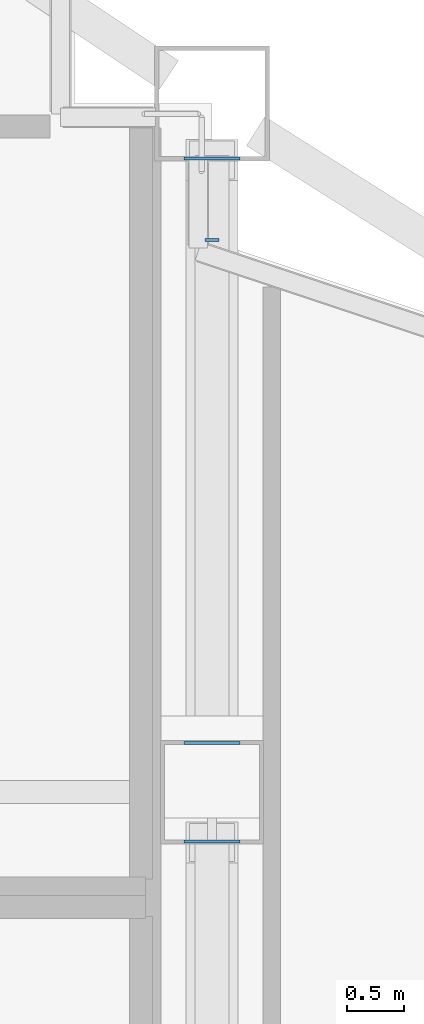
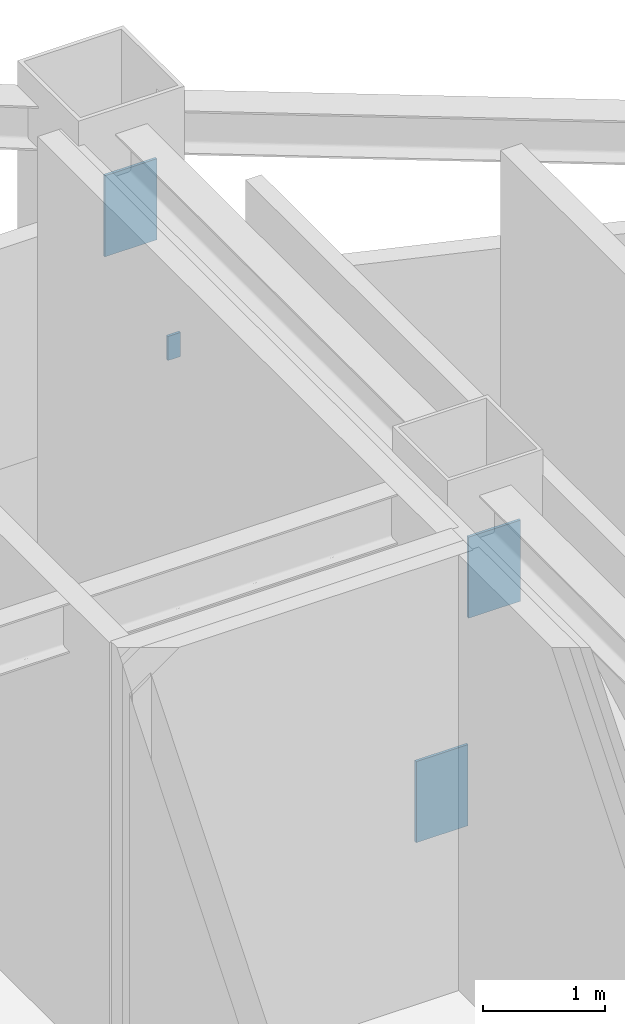
# One storey, part 13 of 24: 4 plates.
"""IFC4 building model written with IfcOpenShell, lengths in metres."""

from ifc_helpers import new_model, si_unit, direction, frame, origin, origin_2d, place, context, subcontext, project, spatial, rectangle, extrude, material, layer, layer_set, type_object, element, save


model = new_model("IFC4")

# Units and contexts
model_context = context("Model", 3, precision=1e-05, world=origin(), true_north=direction((0.0, 1.0)))
body_context = subcontext(model_context, "Body", "Model", "MODEL_VIEW")
ifc_project = project(units=[si_unit("LENGTHUNIT", "METRE"), si_unit("AREAUNIT", "SQUARE_METRE"), si_unit("VOLUMEUNIT", "CUBIC_METRE"), si_unit("PLANEANGLEUNIT", "RADIAN"), si_unit("MASSUNIT", "GRAM", prefix="KILO")], contexts=[model_context])

# Site, building, storey
site_placement = place(None, origin())
site = spatial("IfcSite", under=ifc_project, at=site_placement, CompositionType="ELEMENT")
building_placement = place(site_placement, origin())
building = spatial("IfcBuilding", under=site, at=building_placement, Name="Haolan Belvedere Tower", CompositionType="ELEMENT")
storey_placement = place(building_placement, frame((0.0, 0.0, 160.0)))
storey = spatial("IfcBuildingStorey", under=building, at=storey_placement, Name="L40", CompositionType="ELEMENT", Elevation=160.0)

# Plates
ifc_material = material(Name="Steel Q355B", Category="steel")
ifc_layer = layer(ifc_material, 0.02490234375, Name="Steel Q355B")
ifc_layer_set = layer_set([ifc_layer], Name="Steel Q355B")
plate_type = type_object("IfcPlateType", Name="PL-CAP-25", PredefinedType="SHEET", material=ifc_layer_set)
for number, where, z_axis, x_axis, name in (
    (1, (52.800048828125, 39.1708984375, 3.15087890625), (0.0, 0.0, 1.0), (-1.0, 0.0, 0.0), "Hollow steel end-cap plate BT-E3-L40-CAP1"),
    (2, (52.800048828125, 40.029052734375, 0.388916015625), (0.0, 0.0, 1.0), (1.0, 0.0, 0.0), "Hollow steel end-cap plate BT-E4-L40-CAP0"),
    (3, (52.800048828125, 45.12109375, 3.15087890625), (0.0, 0.0, 1.0), (-1.0, 0.0, 0.0), "Hollow steel end-cap plate BT-E4-L40-CAP1"),
):
    element("IfcPlate", number, at=place(storey_placement, frame(where, z_axis=z_axis, x_axis=x_axis)), inside=storey, type_object=plate_type, Name=name, PredefinedType="SHEET", context=body_context, shape_type="SweptSolid", body=[
        extrude(rectangle(XDim=0.489990234375, YDim=0.02490234375, at=origin_2d()), origin(), (0.0, 0.0, 1.0), 0.81005859375),
    ])
plate_placement = place(storey_placement, frame((52.800048828125, 44.41259765625, 2.47998046875), z_axis=(0.0, 0.0, 1.0), x_axis=(-1.0, 0.0, 0.0)))
element("IfcPlate", 4, at=plate_placement, inside=storey, type_object=plate_type, Name="Hollow steel end-cap plate GIRT-L40-GE-CAP1", PredefinedType="SHEET", context=body_context, shape_type="SweptSolid", body=[
    extrude(rectangle(XDim=0.1201171875, YDim=0.02490234375, at=origin_2d()), origin(), (0.0, 0.0, 1.0), 0.239990234375),
])

save(model, "model.ifc")
